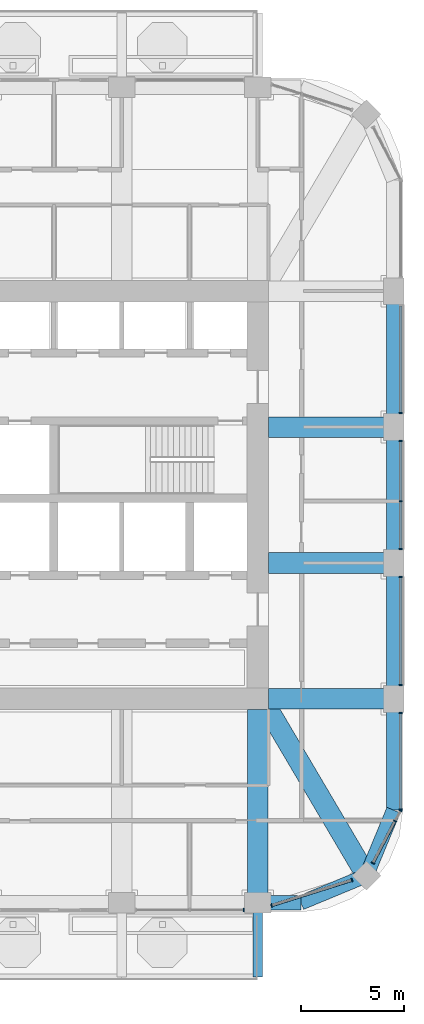
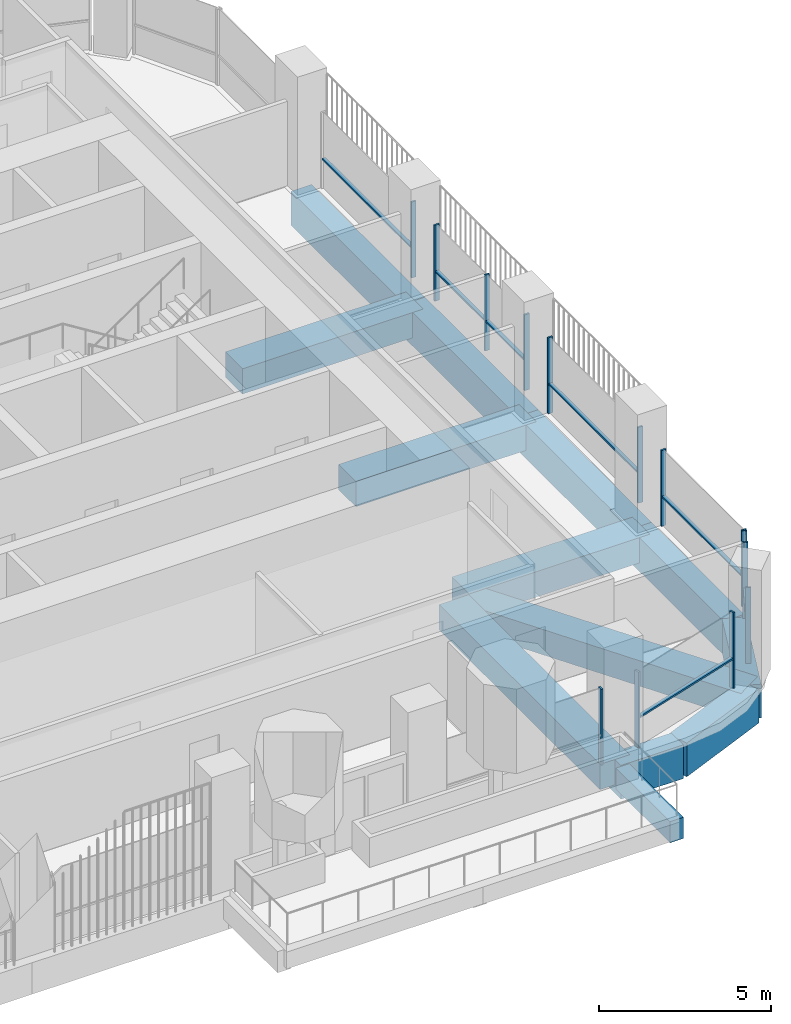
# One storey, part 5 of 21: 21 members, 13 beams, 7 elements without a shape of their own.
"""IFC4 building model written with IfcOpenShell, lengths in metres."""

import ifcopenshell
import ifcopenshell.guid

model = None  # the IFC model being written
_history = None  # IfcOwnerHistory: only IFC2X3 demands one
_inside = {}  # id of a spatial element -> (the spatial element, [elements in it])
_under = {}  # id of a project, library or spatial element -> (it, [spatial elements below it])
_declared = {}  # id of a project -> (the project, [libraries it declares])
_typed = {}  # id of a type object -> (the type object, [elements of that type])
_made_of = {}  # id of a material, layer set ... -> (it, [elements and type objects made of it])


def new_model(schema):
    """Start an empty IFC model of exactly this schema.

    Asked for "IFC4X3", IfcOpenShell would pick the latest addendum, in which some entities
    have other attributes; the version numbers below select the first issue.
    IFC2X3 requires an IfcOwnerHistory on every rooted entity: one is made here for all.
    """
    global model, _history
    if schema == "IFC4X3":
        model = ifcopenshell.file(schema_version=(4, 3, 0, 0))
    else:
        model = ifcopenshell.file(schema=schema)
    _inside.clear()
    _under.clear()
    _declared.clear()
    _typed.clear()
    _made_of.clear()
    _history = None
    if model.schema == "IFC2X3":
        org = make("IfcOrganization", Name="unknown")
        user = make(
            "IfcPersonAndOrganization",
            ThePerson=make("IfcPerson", FamilyName="unknown"),
            TheOrganization=org,
        )
        app = make(
            "IfcApplication",
            ApplicationDeveloper=org,
            Version="unknown",
            ApplicationFullName="unknown",
            ApplicationIdentifier="unknown",
        )
        _history = make(
            "IfcOwnerHistory",
            OwningUser=user,
            OwningApplication=app,
            ChangeAction="ADDED",
            CreationDate=0,
        )
    return model


def make(cls, **values):
    """One entity of the class cls with the attributes given. An attribute that is None is left unset."""
    return model.create_entity(
        cls, **{name: value for name, value in values.items() if value is not None}
    )


def rooted(cls, **values):
    """An entity with a GlobalId (a new one), such as an element, a storey or a relation."""
    return make(cls, GlobalId=ifcopenshell.guid.new(), OwnerHistory=_history, **values)


def si_unit(unit_type, name, prefix=None):
    """IfcSIUnit, for example si_unit("LENGTHUNIT", "METRE", prefix="MILLI")."""
    return make("IfcSIUnit", UnitType=unit_type, Prefix=prefix, Name=name)


def assignment(units):
    """IfcUnitAssignment: the units of a project."""
    return None if units is None else make("IfcUnitAssignment", Units=units)


def point(xyz):
    """IfcCartesianPoint."""
    return None if xyz is None else make("IfcCartesianPoint", Coordinates=xyz)


def direction(xyz):
    """IfcDirection."""
    return None if xyz is None else make("IfcDirection", DirectionRatios=xyz)


def frame(location, z_axis=None, x_axis=None):
    """IfcAxis2Placement3D, a coordinate frame: its origin and axes. An axis left out is left unset."""
    return make(
        "IfcAxis2Placement3D",
        Location=point(location),
        Axis=direction(z_axis),
        RefDirection=direction(x_axis),
    )


def frame_2d(location, x_axis=None):
    """IfcAxis2Placement2D, a coordinate frame in the plane: its origin and x axis."""
    return make(
        "IfcAxis2Placement2D", Location=point(location), RefDirection=direction(x_axis)
    )


def origin():
    """The frame at (0, 0, 0) with its axes left unset."""
    return frame((0.0, 0.0, 0.0))


def origin_2d():
    """The frame at (0, 0) in the plane with its x axis left unset."""
    return frame_2d((0.0, 0.0))


def place(relative_to, where):
    """IfcLocalPlacement: puts the frame where relative to a parent placement (None: the world)."""
    return make(
        "IfcLocalPlacement", PlacementRelTo=relative_to, RelativePlacement=where
    )


def context(
    kind, dimensions, precision=None, world=None, true_north=None, identifier=None
):
    """IfcGeometricRepresentationContext, for example the 3D "Model" context."""
    return make(
        "IfcGeometricRepresentationContext",
        ContextIdentifier=identifier,
        ContextType=kind,
        CoordinateSpaceDimension=dimensions,
        Precision=precision,
        WorldCoordinateSystem=world,
        TrueNorth=true_north,
    )


def subcontext(parent, identifier, kind, view, scale=None):
    """IfcGeometricRepresentationSubContext, for example "Body" below "Model"."""
    return make(
        "IfcGeometricRepresentationSubContext",
        ContextIdentifier=identifier,
        ContextType=kind,
        ParentContext=parent,
        TargetScale=scale,
        TargetView=view,
    )


def project(units=None, contexts=None):
    """IfcProject with its units and contexts."""
    return rooted(
        "IfcProject",
        Name="project",
        RepresentationContexts=contexts,
        UnitsInContext=assignment(units),
    )


def spatial(cls, under=None, at=None, **own):
    """A site, building, storey or space (cls), placed at a placement, below another one or the project."""
    s = rooted(cls, ObjectPlacement=at, **own)
    if under is not None:
        _under.setdefault(under.id(), (under, []))[1].append(s)
    return s


def profile(cls, at=None, kind="AREA", **sizes):
    """A parametric profile (cls). Its sizes go by their IFC names, for example OverallWidth=200.0."""
    return make(cls, ProfileType=kind, Position=at, **sizes)


def rectangle(**sizes):
    """IfcRectangleProfileDef."""
    return profile("IfcRectangleProfileDef", **sizes)


def extrude(swept, where, along, depth):
    """IfcExtrudedAreaSolid: the profile swept, set in the frame where, extruded along a direction by depth."""
    return make(
        "IfcExtrudedAreaSolid",
        SweptArea=swept,
        Position=where,
        ExtrudedDirection=direction(along),
        Depth=depth,
    )


def shape(context_of_items, identifier, shape_type, items):
    """IfcShapeRepresentation: the items that make up one representation, for example the "Body"."""
    return make(
        "IfcShapeRepresentation",
        ContextOfItems=context_of_items,
        RepresentationIdentifier=identifier,
        RepresentationType=shape_type,
        Items=items,
    )


def material(Name=None, Category=None):
    """IfcMaterial."""
    return make("IfcMaterial", Name=Name, Category=Category)


def material_profile(
    of_material, cross_section, Name=None, Category=None, Priority=None
):
    """IfcMaterialProfile: a cross section and its material."""
    return make(
        "IfcMaterialProfile",
        Name=Name,
        Material=of_material,
        Profile=cross_section,
        Priority=Priority,
        Category=Category,
    )


def profile_set(profiles, Name=None, composite=None):
    """IfcMaterialProfileSet."""
    return make(
        "IfcMaterialProfileSet",
        Name=Name,
        MaterialProfiles=profiles,
        CompositeProfile=composite,
    )


def made_of(thing, what):
    """Note that an element or type object is made of a material, layer set ...; save() writes the relation."""
    if what is not None:
        _made_of.setdefault(what.id(), (what, []))[1].append(thing)
    return thing


def type_object(cls, material=None, **own):
    """A type object (cls), such as IfcWallType, which elements share."""
    return made_of(rooted(cls, **own), material)


def element(
    cls,
    number,
    at=None,
    inside=None,
    cuts=None,
    type_object=None,
    material=None,
    context=None,
    identifier="Body",
    shape_type=None,
    held_by="IfcProductDefinitionShape",
    body=None,
    shapes=None,
    **own,
):
    """One element of the class cls, such as IfcWall. Its Tag is "e" and its number.

    at: its placement. inside: the storey or other place that contains it. cuts: it is an
    opening in that element (IfcRelVoidsElement). A single representation is given by context,
    identifier, shape_type and body (its items); several are given by shapes. held_by: the class
    of the entity that holds the representations. save() writes the other relations.
    """
    e = rooted(cls, Tag="e%d" % number, ObjectPlacement=at, **own)
    if body is not None:
        shapes = [shape(context, identifier, shape_type, body)]
    if shapes is not None:
        e.Representation = make(held_by, Representations=shapes)
    if inside is not None:
        _inside.setdefault(inside.id(), (inside, []))[1].append(e)
    if cuts is not None:
        rooted(
            "IfcRelVoidsElement", RelatingBuildingElement=cuts, RelatedOpeningElement=e
        )
    if type_object is not None:
        _typed.setdefault(type_object.id(), (type_object, []))[1].append(e)
    return made_of(e, material)


def aggregate(whole, parts):
    """IfcRelAggregates: a whole, such as a stair, and the parts it consists of."""
    return rooted("IfcRelAggregates", RelatingObject=whole, RelatedObjects=parts)


def save(model, path):
    """Write the relations noted so far, then the file.

    IfcRelAggregates (storeys below a building ...), IfcRelContainedInSpatialStructure (elements
    in a storey), IfcRelDefinesByType, IfcRelAssociatesMaterial and IfcRelDeclares: one each for
    every whole, place, type object, material and project.
    """
    for whole, parts in _under.values():
        aggregate(whole, parts)
    for where, things in _inside.values():
        rooted(
            "IfcRelContainedInSpatialStructure",
            RelatedElements=things,
            RelatingStructure=where,
        )
    for kind, things in _typed.values():
        rooted("IfcRelDefinesByType", RelatedObjects=things, RelatingType=kind)
    for what, things in _made_of.values():
        rooted("IfcRelAssociatesMaterial", RelatedObjects=things, RelatingMaterial=what)
    for by, libraries in _declared.values():
        rooted("IfcRelDeclares", RelatingContext=by, RelatedDefinitions=libraries)
    model.write(path)


model = new_model("IFC4")

# Units and contexts
model_context = context("Model", 3, precision=1e-05, world=origin(), true_north=direction((0.0, 1.0)))
body_context = subcontext(model_context, "Body", "Model", "MODEL_VIEW")
ifc_project = project(units=[si_unit("LENGTHUNIT", "METRE"), si_unit("AREAUNIT", "SQUARE_METRE"), si_unit("VOLUMEUNIT", "CUBIC_METRE"), si_unit("PLANEANGLEUNIT", "RADIAN"), si_unit("MASSUNIT", "GRAM", prefix="KILO")], contexts=[model_context])

# Site, building, storey
site_placement = place(None, origin())
site = spatial("IfcSite", under=ifc_project, at=site_placement, CompositionType="ELEMENT")
building_placement = place(site_placement, origin())
building = spatial("IfcBuilding", under=site, at=building_placement, Name="Cobogo Forest Laboratory Tower", CompositionType="ELEMENT")
storey_placement = place(building_placement, frame((0.0, 0.0, 241.800048828125)))
storey = spatial("IfcBuildingStorey", under=building, at=storey_placement, Name="L55", CompositionType="ELEMENT", Elevation=241.800048828125)

# Beam
ifc_material_1 = material(Name="Concrete HA-40 (C40/50)", Category="concrete")
ifc_material_profile_1 = material_profile(ifc_material_1, rectangle(XDim=0.449951171875, YDim=0.75, at=origin_2d()), Name="RC 450x750")
ifc_profile_set_1 = profile_set([ifc_material_profile_1], Name="Concrete HA-40 (C40/50)")
beam_type_1 = type_object("IfcBeamType", Name="Balcony cantilever beam 450x750", PredefinedType="BEAM", material=ifc_profile_set_1)
beam_1_placement = place(storey_placement, frame((39.60009765625, 2.85009765625, -0.625), z_axis=(0.0, -1.0, 0.0), x_axis=(1.0, 0.0, 0.0)))
element("IfcBeam", 1, at=beam_1_placement, inside=storey, type_object=beam_type_1, Name="CB1 BAL-S1-C3 L55", PredefinedType="BEAM", context=body_context, shape_type="SweptSolid", body=[
    extrude(rectangle(XDim=0.449951171875, YDim=0.75, at=origin_2d()), origin(), (0.0, 0.0, 1.0), 3.150146484375),
])

# Curtain wall, member
ifc_material_2 = material(Name="Aluminium curtain wall", Category="aluminium")
curtain_wall_type = type_object("IfcCurtainWallType", Name="CW-2 unitised curtain wall, solar control glazing, laboratory floors zones C and D", PredefinedType="USERDEFINED", material=ifc_material_2)
curtain_wall_1_placement = place(storey_placement, origin())
curtain_wall_1 = element("IfcCurtainWall", 2, at=curtain_wall_1_placement, inside=storey, type_object=curtain_wall_type, Name="Curtain wall 04 L55", ObjectType="UNITISED CURTAIN WALL", PredefinedType="USERDEFINED")
ifc_material_3 = material(Name="Aluminium mullion", Category="aluminium")
ifc_material_profile_2 = material_profile(ifc_material_3, rectangle(XDim=0.06005859375, YDim=0.159912109375, at=origin_2d()), Name="AL 60x160")
ifc_profile_set_2 = profile_set([ifc_material_profile_2], Name="Aluminium mullion")
member_type_1 = type_object("IfcMemberType", Name="MU-1 aluminium mullion 60x160", PredefinedType="MULLION", material=ifc_profile_set_2)
member_1_placement = place(storey_placement, frame((38.919921875, 2.949951171875, 0.0), z_axis=(0.0, 0.0, 1.0), x_axis=(1.0, 0.0, 0.0)))
member_1 = element("IfcMember", 3, at=member_1_placement, type_object=member_type_1, Name="CW-2 mullion 3", PredefinedType="MULLION", context=body_context, shape_type="SweptSolid", body=[
    extrude(rectangle(XDim=0.06005859375, YDim=0.159912109375, at=origin_2d()), origin(), (0.0, 0.0, 1.0), 2.699951171875),
])
aggregate(curtain_wall_1, [member_1])

# Curtain wall, members
curtain_wall_2_placement = place(storey_placement, origin())
curtain_wall_2 = element("IfcCurtainWall", 4, at=curtain_wall_2_placement, inside=storey, type_object=curtain_wall_type, Name="Curtain wall 05 L55", ObjectType="UNITISED CURTAIN WALL", PredefinedType="USERDEFINED")
member_2_placement = place(storey_placement, frame((40.278564453125, 3.164306640625, 0.0), z_axis=(0.0, 0.0, 1.0), x_axis=(0.953581386052, 0.301135418334, 0.0)))
member_2 = element("IfcMember", 5, at=member_2_placement, type_object=member_type_1, Name="CW-2 mullion 1", PredefinedType="MULLION", context=body_context, shape_type="SweptSolid", body=[
    extrude(rectangle(XDim=0.06005859375, YDim=0.159912109375, at=origin_2d()), origin(), (0.0, 0.0, 1.0), 2.699951171875),
])
member_3_placement = place(storey_placement, frame((44.17626953125, 4.395263671875, 0.0), z_axis=(0.0, 0.0, 1.0), x_axis=(0.953581386052, 0.301135418334, 0.0)))
member_3 = element("IfcMember", 6, at=member_3_placement, type_object=member_type_1, Name="CW-2 mullion 2", PredefinedType="MULLION", context=body_context, shape_type="SweptSolid", body=[
    extrude(rectangle(XDim=0.06005859375, YDim=0.159912109375, at=origin_2d()), origin(), (0.0, 0.0, 1.0), 2.699951171875),
])

curtain_wall_3_placement = place(storey_placement, origin())
curtain_wall_3 = element("IfcCurtainWall", 7, at=curtain_wall_3_placement, inside=storey, type_object=curtain_wall_type, Name="Curtain wall 06 L55", ObjectType="UNITISED CURTAIN WALL", PredefinedType="USERDEFINED")
member_4_placement = place(storey_placement, frame((45.202392578125, 5.229248046875, 0.0), z_axis=(0.0, 0.0, 1.0), x_axis=(0.464283791352, 0.885686491422, 0.0)))
member_4 = element("IfcMember", 8, at=member_4_placement, type_object=member_type_1, Name="CW-2 mullion 1", PredefinedType="MULLION", context=body_context, shape_type="SweptSolid", body=[
    extrude(rectangle(XDim=0.06005859375, YDim=0.159912109375, at=origin_2d()), origin(), (0.0, 0.0, 1.0), 2.699951171875),
])
member_5_placement = place(storey_placement, frame((46.268310546875, 7.262939453125, 0.0), z_axis=(0.0, 0.0, 1.0), x_axis=(0.464283791352, 0.885686491422, 0.0)))
member_5 = element("IfcMember", 9, at=member_5_placement, type_object=member_type_1, Name="CW-2 mullion 2", PredefinedType="MULLION", context=body_context, shape_type="SweptSolid", body=[
    extrude(rectangle(XDim=0.06005859375, YDim=0.159912109375, at=origin_2d()), origin(), (0.0, 0.0, 1.0), 2.699951171875),
])
member_6_placement = place(storey_placement, frame((46.5361328125, 7.7734375, 0.0), z_axis=(0.0, 0.0, 1.0), x_axis=(0.464283791352, 0.885686491422, 0.0)))
member_6 = element("IfcMember", 10, at=member_6_placement, type_object=member_type_1, Name="CW-2 mullion 3", PredefinedType="MULLION", context=body_context, shape_type="SweptSolid", body=[
    extrude(rectangle(XDim=0.06005859375, YDim=0.159912109375, at=origin_2d()), origin(), (0.0, 0.0, 1.0), 2.699951171875),
])

curtain_wall_4_placement = place(storey_placement, origin())
curtain_wall_4 = element("IfcCurtainWall", 11, at=curtain_wall_4_placement, inside=storey, type_object=curtain_wall_type, Name="Curtain wall 07 L55", ObjectType="UNITISED CURTAIN WALL", PredefinedType="USERDEFINED")
member_7_placement = place(storey_placement, frame((46.550048828125, 7.830078125, 0.0), z_axis=(0.0, 0.0, 1.0), x_axis=(0.0, 1.0, 0.0)))
member_7 = element("IfcMember", 12, at=member_7_placement, type_object=member_type_1, Name="CW-2 mullion 1", PredefinedType="MULLION", context=body_context, shape_type="SweptSolid", body=[
    extrude(rectangle(XDim=0.06005859375, YDim=0.159912109375, at=origin_2d()), origin(), (0.0, 0.0, 1.0), 2.699951171875),
])
member_8_placement = place(storey_placement, frame((46.550048828125, 12.52001953125, 0.0), z_axis=(0.0, 0.0, 1.0), x_axis=(0.0, 1.0, 0.0)))
member_8 = element("IfcMember", 13, at=member_8_placement, type_object=member_type_1, Name="CW-2 mullion 2", PredefinedType="MULLION", context=body_context, shape_type="SweptSolid", body=[
    extrude(rectangle(XDim=0.06005859375, YDim=0.159912109375, at=origin_2d()), origin(), (0.0, 0.0, 1.0), 2.699951171875),
])

curtain_wall_5_placement = place(storey_placement, origin())
curtain_wall_5 = element("IfcCurtainWall", 14, at=curtain_wall_5_placement, inside=storey, type_object=curtain_wall_type, Name="Curtain wall 08 L55", ObjectType="UNITISED CURTAIN WALL", PredefinedType="USERDEFINED")
member_9_placement = place(storey_placement, frame((46.550048828125, 13.8798828125, 0.0), z_axis=(0.0, 0.0, 1.0), x_axis=(0.0, 1.0, 0.0)))
member_9 = element("IfcMember", 15, at=member_9_placement, type_object=member_type_1, Name="CW-2 mullion 1", PredefinedType="MULLION", context=body_context, shape_type="SweptSolid", body=[
    extrude(rectangle(XDim=0.06005859375, YDim=0.159912109375, at=origin_2d()), origin(), (0.0, 0.0, 1.0), 2.699951171875),
])
member_10_placement = place(storey_placement, frame((46.550048828125, 19.1201171875, 0.0), z_axis=(0.0, 0.0, 1.0), x_axis=(0.0, 1.0, 0.0)))
member_10 = element("IfcMember", 16, at=member_10_placement, type_object=member_type_1, Name="CW-2 mullion 2", PredefinedType="MULLION", context=body_context, shape_type="SweptSolid", body=[
    extrude(rectangle(XDim=0.06005859375, YDim=0.159912109375, at=origin_2d()), origin(), (0.0, 0.0, 1.0), 2.699951171875),
])

curtain_wall_6_placement = place(storey_placement, origin())
curtain_wall_6 = element("IfcCurtainWall", 17, at=curtain_wall_6_placement, inside=storey, type_object=curtain_wall_type, Name="Curtain wall 09 L55", ObjectType="UNITISED CURTAIN WALL", PredefinedType="USERDEFINED")
member_11_placement = place(storey_placement, frame((46.550048828125, 20.47998046875, 0.0), z_axis=(0.0, 0.0, 1.0), x_axis=(0.0, 1.0, 0.0)))
member_11 = element("IfcMember", 18, at=member_11_placement, type_object=member_type_1, Name="CW-2 mullion 1", PredefinedType="MULLION", context=body_context, shape_type="SweptSolid", body=[
    extrude(rectangle(XDim=0.06005859375, YDim=0.159912109375, at=origin_2d()), origin(), (0.0, 0.0, 1.0), 2.699951171875),
])
member_12_placement = place(storey_placement, frame((46.550048828125, 22.800048828125, 0.0), z_axis=(0.0, 0.0, 1.0), x_axis=(0.0, 1.0, 0.0)))
member_12 = element("IfcMember", 19, at=member_12_placement, type_object=member_type_1, Name="CW-2 mullion 2", PredefinedType="MULLION", context=body_context, shape_type="SweptSolid", body=[
    extrude(rectangle(XDim=0.06005859375, YDim=0.159912109375, at=origin_2d()), origin(), (0.0, 0.0, 1.0), 2.699951171875),
])
member_13_placement = place(storey_placement, frame((46.550048828125, 25.719970703125, 0.0), z_axis=(0.0, 0.0, 1.0), x_axis=(0.0, 1.0, 0.0)))
member_13 = element("IfcMember", 20, at=member_13_placement, type_object=member_type_1, Name="CW-2 mullion 3", PredefinedType="MULLION", context=body_context, shape_type="SweptSolid", body=[
    extrude(rectangle(XDim=0.06005859375, YDim=0.159912109375, at=origin_2d()), origin(), (0.0, 0.0, 1.0), 2.699951171875),
])

# Curtain wall, member
curtain_wall_7_placement = place(storey_placement, origin())
curtain_wall_7 = element("IfcCurtainWall", 21, at=curtain_wall_7_placement, inside=storey, type_object=curtain_wall_type, Name="Curtain wall 10 L55", ObjectType="UNITISED CURTAIN WALL", PredefinedType="USERDEFINED")
member_14_placement = place(storey_placement, frame((46.550048828125, 27.080078125, 0.0), z_axis=(0.0, 0.0, 1.0), x_axis=(0.0, 1.0, 0.0)))
member_14 = element("IfcMember", 22, at=member_14_placement, type_object=member_type_1, Name="CW-2 mullion 1", PredefinedType="MULLION", context=body_context, shape_type="SweptSolid", body=[
    extrude(rectangle(XDim=0.06005859375, YDim=0.159912109375, at=origin_2d()), origin(), (0.0, 0.0, 1.0), 2.699951171875),
])

# Beams
ifc_material_profile_3 = material_profile(ifc_material_1, rectangle(XDim=1.0, YDim=0.89990234375, at=origin_2d()), Name="RC 1000x900")
ifc_profile_set_3 = profile_set([ifc_material_profile_3], Name="Concrete HA-40 (C40/50)")
beam_type_2 = type_object("IfcBeamType", Name="Office floor wide beam 1000x900", PredefinedType="BEAM", material=ifc_profile_set_3)
beam_2_placement = place(storey_placement, frame((39.60009765625, 12.675048828125, -0.75), z_axis=(0.0, -1.0, 0.0), x_axis=(1.0, 0.0, 0.0)))
element("IfcBeam", 23, at=beam_2_placement, inside=storey, type_object=beam_type_2, Name="RB2 R-7-S L55", PredefinedType="BEAM", context=body_context, shape_type="SweptSolid", body=[
    extrude(rectangle(XDim=1.0, YDim=0.89990234375, at=origin_2d()), origin(), (0.0, 0.0, 1.0), 9.375),
])
for number, where, z_axis, x_axis, name in (
    (24, (40.125, 13.199951171875, -0.75), (1.0, 0.0, 0.0), (0.0, 1.0, 0.0), "RB2 R-C-E L55"),
    (25, (40.125, 19.800048828125, -0.75), (1.0, 0.0, 0.0), (0.0, 1.0, 0.0), "RB2 R-D-E L55"),
    (26, (40.125, 26.39990234375, -0.75), (1.0, 0.0, 0.0), (0.0, 1.0, 0.0), "RB2 R-E-E L55"),
):
    element("IfcBeam", number, at=place(storey_placement, frame(where, z_axis=z_axis, x_axis=x_axis)), inside=storey, type_object=beam_type_2, Name=name, PredefinedType="BEAM", context=body_context, shape_type="SweptSolid", body=[
        extrude(rectangle(XDim=1.0, YDim=0.89990234375, at=origin_2d()), origin(), (0.0, 0.0, 1.0), 6.074951171875),
    ])
beam_3_placement = place(storey_placement, frame((44.882080078125, 4.617919921875, -0.75), z_axis=(-0.508416325908, 0.861111397875, 0.0), x_axis=(-0.861111397875, -0.508416325908, 0.0)))
element("IfcBeam", 27, at=beam_3_placement, inside=storey, type_object=beam_type_2, Name="RB2 G-SE-D1 L55", PredefinedType="BEAM", context=body_context, shape_type="SweptSolid", body=[
    extrude(rectangle(XDim=1.0, YDim=0.89990234375, at=origin_2d()), origin(), (0.0, 0.0, 1.0), 9.356689453125),
])
ifc_material_profile_4 = material_profile(ifc_material_1, rectangle(XDim=0.699951171875, YDim=1.199951171875, at=origin_2d()), Name="RC 700x1200")
ifc_profile_set_4 = profile_set([ifc_material_profile_4], Name="Concrete HA-40 (C40/50)")
beam_type_3 = type_object("IfcBeamType", Name="Perimeter edge beam 700x1200", PredefinedType="BEAM", material=ifc_profile_set_4)
beam_4_placement = place(storey_placement, frame((46.199951171875, 13.199951171875, -0.900146484375), z_axis=(0.0, 1.0, 0.0), x_axis=(-1.0, 0.0, 0.0)))
element("IfcBeam", 28, at=beam_4_placement, inside=storey, type_object=beam_type_3, Name="EB1 E-E1 L55", PredefinedType="BEAM", context=body_context, shape_type="SweptSolid", body=[
    extrude(rectangle(XDim=0.699951171875, YDim=1.199951171875, at=origin_2d()), origin(), (0.0, 0.0, 1.0), 6.60009765625),
])
beam_5_placement = place(storey_placement, frame((46.199951171875, 19.800048828125, -0.900146484375), z_axis=(0.0, 1.0, 0.0), x_axis=(-1.0, 0.0, 0.0)))
element("IfcBeam", 29, at=beam_5_placement, inside=storey, type_object=beam_type_3, Name="EB1 E-E2 L55", PredefinedType="BEAM", context=body_context, shape_type="SweptSolid", body=[
    extrude(rectangle(XDim=0.699951171875, YDim=1.199951171875, at=origin_2d()), origin(), (0.0, 0.0, 1.0), 6.599853515625),
])
beam_6_placement = place(storey_placement, frame((46.199951171875, 26.39990234375, -0.900146484375), z_axis=(0.0, 1.0, 0.0), x_axis=(-1.0, 0.0, 0.0)))
element("IfcBeam", 30, at=beam_6_placement, inside=storey, type_object=beam_type_3, Name="EB1 E-E3 L55", PredefinedType="BEAM", context=body_context, shape_type="SweptSolid", body=[
    extrude(rectangle(XDim=0.699951171875, YDim=1.199951171875, at=origin_2d()), origin(), (0.0, 0.0, 1.0), 6.60009765625),
])
beam_7_placement = place(storey_placement, frame((39.60009765625, 3.300048828125, -0.900146484375), z_axis=(1.0, 0.0, 0.0), x_axis=(0.0, 1.0, 0.0)))
element("IfcBeam", 31, at=beam_7_placement, inside=storey, type_object=beam_type_3, Name="EB1 E-SES1 L55", PredefinedType="BEAM", context=body_context, shape_type="SweptSolid", body=[
    extrude(rectangle(XDim=0.699951171875, YDim=1.199951171875, at=origin_2d()), origin(), (0.0, 0.0, 1.0), 2.099853515625),
])
beam_8_placement = place(storey_placement, frame((41.699951171875, 3.300048828125, -0.900146484375), z_axis=(0.923901072997, 0.382631424892, 0.0), x_axis=(-0.382631424892, 0.923901072997, 0.0)))
element("IfcBeam", 32, at=beam_8_placement, inside=storey, type_object=beam_type_3, Name="EB1 E-SES2 L55", PredefinedType="BEAM", context=body_context, shape_type="SweptSolid", body=[
    extrude(rectangle(XDim=0.699951171875, YDim=1.199951171875, at=origin_2d()), origin(), (0.0, 0.0, 1.0), 3.4443359375),
])
beam_9_placement = place(storey_placement, frame((46.199951171875, 13.199951171875, -0.900146484375), z_axis=(0.0, -1.0, 0.0), x_axis=(1.0, 0.0, 0.0)))
element("IfcBeam", 33, at=beam_9_placement, inside=storey, type_object=beam_type_3, Name="EB1 E-SEE1 L55", PredefinedType="BEAM", context=body_context, shape_type="SweptSolid", body=[
    extrude(rectangle(XDim=0.699951171875, YDim=1.199951171875, at=origin_2d()), origin(), (0.0, 0.0, 1.0), 5.39990234375),
])
beam_10_placement = place(storey_placement, frame((46.199951171875, 7.800048828125, -0.900146484375), z_axis=(-0.382631424892, -0.923901072997, 0.0), x_axis=(0.923901072997, -0.382631424892, 0.0)))
element("IfcBeam", 34, at=beam_10_placement, inside=storey, type_object=beam_type_3, Name="EB1 E-SEE2 L55", PredefinedType="BEAM", context=body_context, shape_type="SweptSolid", body=[
    extrude(rectangle(XDim=0.699951171875, YDim=1.199951171875, at=origin_2d()), origin(), (0.0, 0.0, 1.0), 3.4443359375),
])

# Member
ifc_material_4 = material(Name="Aluminium transom", Category="aluminium")
ifc_material_profile_5 = material_profile(ifc_material_4, rectangle(XDim=0.1201171875, YDim=0.06005859375, at=origin_2d()), Name="AL 60x120")
ifc_profile_set_5 = profile_set([ifc_material_profile_5], Name="Aluminium transom")
member_type_2 = type_object("IfcMemberType", Name="TR-1 aluminium transom 60x120", PredefinedType="USERDEFINED", material=ifc_profile_set_5)
member_15_placement = place(storey_placement, frame((40.30712890625, 3.17333984375, 1.050048828125), z_axis=(0.953577168155, 0.301148774483, 0.0), x_axis=(-0.301148774483, 0.953577168155, 0.0)))
member_15 = element("IfcMember", 35, at=member_15_placement, type_object=member_type_2, Name="CW-2 transom 1.1", ObjectType="TRANSOM", PredefinedType="USERDEFINED", context=body_context, shape_type="SweptSolid", body=[
    extrude(rectangle(XDim=0.1201171875, YDim=0.06005859375, at=origin_2d()), origin(), (0.0, 0.0, 1.0), 4.027587890625),
])

aggregate(curtain_wall_2, [member_2, member_3, member_15])

member_16_placement = place(storey_placement, frame((45.21630859375, 5.255615234375, 1.050048828125), z_axis=(0.464206875758, 0.885726806921, 0.0), x_axis=(-0.885726806921, 0.464206875758, 0.0)))
member_16 = element("IfcMember", 36, at=member_16_placement, type_object=member_type_2, Name="CW-2 transom 1.1", ObjectType="TRANSOM", PredefinedType="USERDEFINED", context=body_context, shape_type="SweptSolid", body=[
    extrude(rectangle(XDim=0.1201171875, YDim=0.06005859375, at=origin_2d()), origin(), (0.0, 0.0, 1.0), 2.236328125),
])

aggregate(curtain_wall_3, [member_4, member_5, member_6, member_16])

member_17_placement = place(storey_placement, frame((46.550048828125, 7.860107421875, 1.050048828125), z_axis=(0.0, 1.0, 0.0), x_axis=(-1.0, 0.0, 0.0)))
member_17 = element("IfcMember", 37, at=member_17_placement, type_object=member_type_2, Name="CW-2 transom 1.1", ObjectType="TRANSOM", PredefinedType="USERDEFINED", context=body_context, shape_type="SweptSolid", body=[
    extrude(rectangle(XDim=0.1201171875, YDim=0.06005859375, at=origin_2d()), origin(), (0.0, 0.0, 1.0), 4.6298828125),
])

aggregate(curtain_wall_4, [member_7, member_8, member_17])

member_18_placement = place(storey_placement, frame((46.550048828125, 13.909912109375, 1.050048828125), z_axis=(0.0, 1.0, 0.0), x_axis=(-1.0, 0.0, 0.0)))
member_18 = element("IfcMember", 38, at=member_18_placement, type_object=member_type_2, Name="CW-2 transom 1.1", ObjectType="TRANSOM", PredefinedType="USERDEFINED", context=body_context, shape_type="SweptSolid", body=[
    extrude(rectangle(XDim=0.1201171875, YDim=0.06005859375, at=origin_2d()), origin(), (0.0, 0.0, 1.0), 5.18017578125),
])

aggregate(curtain_wall_5, [member_9, member_10, member_18])

member_19_placement = place(storey_placement, frame((46.550048828125, 20.510009765625, 1.050048828125), z_axis=(0.0, 1.0, 0.0), x_axis=(-1.0, 0.0, 0.0)))
member_19 = element("IfcMember", 39, at=member_19_placement, type_object=member_type_2, Name="CW-2 transom 1.1", ObjectType="TRANSOM", PredefinedType="USERDEFINED", context=body_context, shape_type="SweptSolid", body=[
    extrude(rectangle(XDim=0.1201171875, YDim=0.06005859375, at=origin_2d()), origin(), (0.0, 0.0, 1.0), 2.260009765625),
])

member_20_placement = place(storey_placement, frame((46.550048828125, 22.830078125, 1.050048828125), z_axis=(0.0, 1.0, 0.0), x_axis=(-1.0, 0.0, 0.0)))
member_20 = element("IfcMember", 40, at=member_20_placement, type_object=member_type_2, Name="CW-2 transom 2.1", ObjectType="TRANSOM", PredefinedType="USERDEFINED", context=body_context, shape_type="SweptSolid", body=[
    extrude(rectangle(XDim=0.1201171875, YDim=0.06005859375, at=origin_2d()), origin(), (0.0, 0.0, 1.0), 2.85986328125),
])

aggregate(curtain_wall_6, [member_11, member_12, member_13, member_19, member_20])

member_21_placement = place(storey_placement, frame((46.550048828125, 27.110107421875, 1.050048828125), z_axis=(0.0, 1.0, 0.0), x_axis=(-1.0, 0.0, 0.0)))
member_21 = element("IfcMember", 41, at=member_21_placement, type_object=member_type_2, Name="CW-2 transom 1.1", ObjectType="TRANSOM", PredefinedType="USERDEFINED", context=body_context, shape_type="SweptSolid", body=[
    extrude(rectangle(XDim=0.1201171875, YDim=0.06005859375, at=origin_2d()), origin(), (0.0, 0.0, 1.0), 5.179931640625),
])

aggregate(curtain_wall_7, [member_14, member_21])

save(model, "model.ifc")
